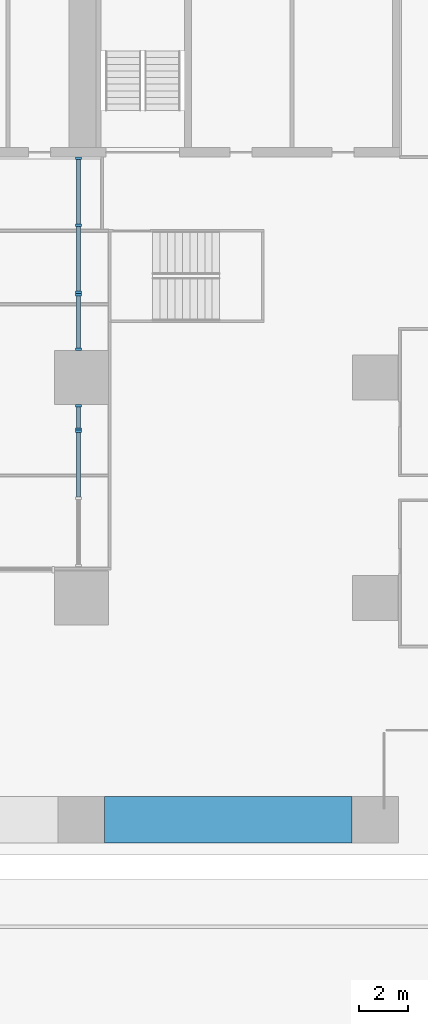
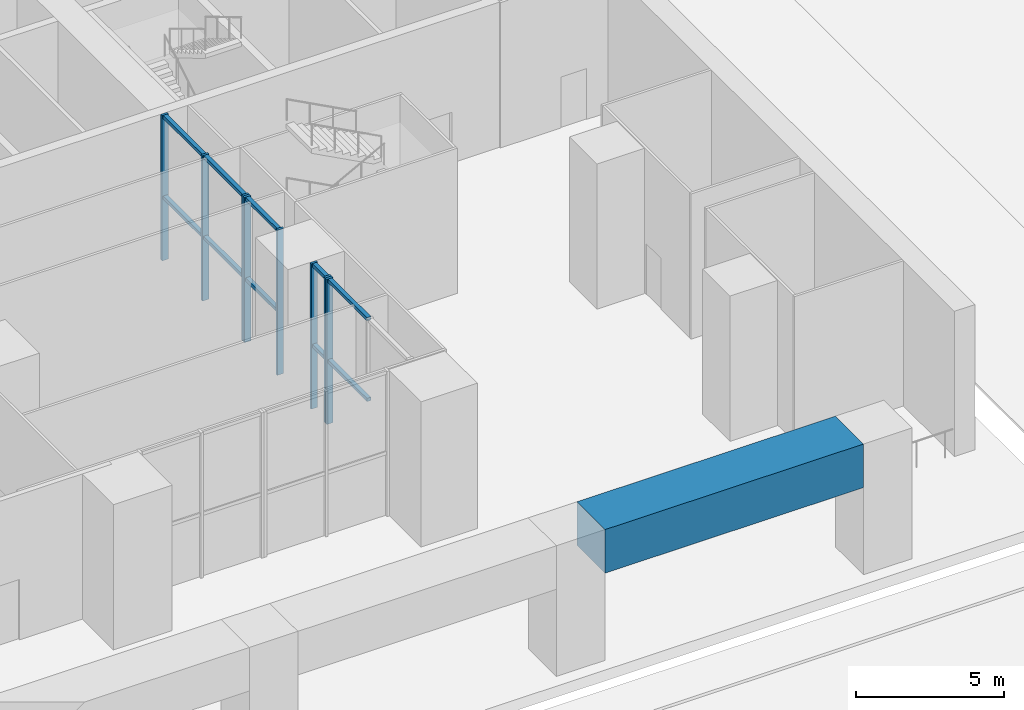
# One storey, part 3 of 16: 18 members, 1 beam, 4 elements without a shape of their own.
"""IFC4 building model written with IfcOpenShell, lengths in metres."""

from ifc_helpers import new_model, si_unit, direction, frame, origin, origin_2d, place, context, subcontext, project, spatial, rectangle, extrude, material, material_profile, profile_set, type_object, element, aggregate, save


model = new_model("IFC4")

# Units and contexts
model_context = context("Model", 3, precision=1e-05, world=origin(), true_north=direction((0.0, 1.0)))
body_context = subcontext(model_context, "Body", "Model", "MODEL_VIEW")
ifc_project = project(units=[si_unit("LENGTHUNIT", "METRE"), si_unit("AREAUNIT", "SQUARE_METRE"), si_unit("VOLUMEUNIT", "CUBIC_METRE"), si_unit("PLANEANGLEUNIT", "RADIAN"), si_unit("MASSUNIT", "GRAM", prefix="KILO")], contexts=[model_context])

# Site, building, storey
site_placement = place(None, origin())
site = spatial("IfcSite", under=ifc_project, at=site_placement, CompositionType="ELEMENT")
building_placement = place(site_placement, origin())
building = spatial("IfcBuilding", under=site, at=building_placement, Name="Calvaro Tower", CompositionType="ELEMENT")
storey_placement = place(building_placement, origin())
storey = spatial("IfcBuildingStorey", under=building, at=storey_placement, Name="L00", CompositionType="ELEMENT", Elevation=0.0)

# Curtain wall, member
ifc_material_1 = material(Name="Anodised aluminium", Category="aluminium")
curtain_wall_type = type_object("IfcCurtainWallType", Name="Lobby pavilion glazing", PredefinedType="NOTDEFINED", material=ifc_material_1)
curtain_wall_1_placement = place(storey_placement, origin())
curtain_wall_1 = element("IfcCurtainWall", 1, at=curtain_wall_1_placement, inside=storey, type_object=curtain_wall_type, Name="CW7 lobby glazing", PredefinedType="NOTDEFINED")
ifc_material_2 = material(Name="Anodised aluminium", Category="aluminium")
ifc_material_profile_1 = material_profile(ifc_material_2, rectangle(XDim=0.25, YDim=0.10009765625, at=origin_2d()), Name="Mullion LP 100 x 250")
ifc_profile_set_1 = profile_set([ifc_material_profile_1], Name="Anodised aluminium")
member_type_1 = type_object("IfcMemberType", Name="Mullion LP 100 x 250", PredefinedType="MULLION", material=ifc_profile_set_1)
member_1_placement = place(storey_placement, frame((59.875, 16.800048828125, 0.0), z_axis=(0.0, 0.0, 1.0), x_axis=(-1.0, 0.0, 0.0)))
member_1 = element("IfcMember", 2, at=member_1_placement, type_object=member_type_1, Name="CW7 mullion 3", PredefinedType="MULLION", context=body_context, shape_type="SweptSolid", body=[
    extrude(rectangle(XDim=0.25, YDim=0.10009765625, at=origin_2d()), origin(), (0.0, 0.0, 1.0), 6.0),
])

# Curtain wall, members
curtain_wall_2_placement = place(storey_placement, origin())
curtain_wall_2 = element("IfcCurtainWall", 3, at=curtain_wall_2_placement, inside=storey, type_object=curtain_wall_type, Name="CW7 lobby glazing", PredefinedType="NOTDEFINED")
member_2_placement = place(storey_placement, frame((59.875, 16.89990234375, 0.0), z_axis=(0.0, 0.0, 1.0), x_axis=(-1.0, 0.0, 0.0)))
member_2 = element("IfcMember", 4, at=member_2_placement, type_object=member_type_1, Name="CW7 mullion 1", PredefinedType="MULLION", context=body_context, shape_type="SweptSolid", body=[
    extrude(rectangle(XDim=0.25, YDim=0.10009765625, at=origin_2d()), origin(), (0.0, 0.0, 1.0), 6.0),
])
member_3_placement = place(storey_placement, frame((59.875, 17.85009765625, 0.0), z_axis=(0.0, 0.0, 1.0), x_axis=(-1.0, 0.0, 0.0)))
member_3 = element("IfcMember", 5, at=member_3_placement, type_object=member_type_1, Name="CW7 mullion 2", PredefinedType="MULLION", context=body_context, shape_type="SweptSolid", body=[
    extrude(rectangle(XDim=0.25, YDim=0.10009765625, at=origin_2d()), origin(), (0.0, 0.0, 1.0), 6.0),
])

curtain_wall_3_placement = place(storey_placement, origin())
curtain_wall_3 = element("IfcCurtainWall", 6, at=curtain_wall_3_placement, inside=storey, type_object=curtain_wall_type, Name="CW7 lobby glazing", PredefinedType="NOTDEFINED")
member_4_placement = place(storey_placement, frame((59.875, 20.14990234375, 0.0), z_axis=(0.0, 0.0, 1.0), x_axis=(-1.0, 0.0, 0.0)))
member_4 = element("IfcMember", 7, at=member_4_placement, type_object=member_type_1, Name="CW7 mullion 1", PredefinedType="MULLION", context=body_context, shape_type="SweptSolid", body=[
    extrude(rectangle(XDim=0.25, YDim=0.10009765625, at=origin_2d()), origin(), (0.0, 0.0, 1.0), 6.0),
])
member_5_placement = place(storey_placement, frame((59.875, 22.375, 0.0), z_axis=(0.0, 0.0, 1.0), x_axis=(-1.0, 0.0, 0.0)))
member_5 = element("IfcMember", 8, at=member_5_placement, type_object=member_type_1, Name="CW7 mullion 2", PredefinedType="MULLION", context=body_context, shape_type="SweptSolid", body=[
    extrude(rectangle(XDim=0.25, YDim=0.10009765625, at=origin_2d()), origin(), (0.0, 0.0, 1.0), 6.0),
])

curtain_wall_4_placement = place(storey_placement, origin())
curtain_wall_4 = element("IfcCurtainWall", 9, at=curtain_wall_4_placement, inside=storey, type_object=curtain_wall_type, Name="CW7 lobby glazing", PredefinedType="NOTDEFINED")
member_6_placement = place(storey_placement, frame((59.875, 22.47509765625, 0.0), z_axis=(0.0, 0.0, 1.0), x_axis=(-1.0, 0.0, 0.0)))
member_6 = element("IfcMember", 10, at=member_6_placement, type_object=member_type_1, Name="CW7 mullion 1", PredefinedType="MULLION", context=body_context, shape_type="SweptSolid", body=[
    extrude(rectangle(XDim=0.25, YDim=0.10009765625, at=origin_2d()), origin(), (0.0, 0.0, 1.0), 6.0),
])
member_7_placement = place(storey_placement, frame((59.875, 25.21240234375, 0.0), z_axis=(0.0, 0.0, 1.0), x_axis=(-1.0, 0.0, 0.0)))
member_7 = element("IfcMember", 11, at=member_7_placement, type_object=member_type_1, Name="CW7 mullion 2", PredefinedType="MULLION", context=body_context, shape_type="SweptSolid", body=[
    extrude(rectangle(XDim=0.25, YDim=0.10009765625, at=origin_2d()), origin(), (0.0, 0.0, 1.0), 6.0),
])
member_8_placement = place(storey_placement, frame((59.875, 27.949951171875, 0.0), z_axis=(0.0, 0.0, 1.0), x_axis=(-1.0, 0.0, 0.0)))
member_8 = element("IfcMember", 12, at=member_8_placement, type_object=member_type_1, Name="CW7 mullion 3", PredefinedType="MULLION", context=body_context, shape_type="SweptSolid", body=[
    extrude(rectangle(XDim=0.25, YDim=0.10009765625, at=origin_2d()), origin(), (0.0, 0.0, 1.0), 6.0),
])

# Beam
ifc_material_3 = material(Name="Concrete C80/95", Category="concrete")
ifc_material_profile_2 = material_profile(ifc_material_3, rectangle(XDim=1.89990234375, YDim=1.800048828125, at=origin_2d()), Name="RC 1900x1800")
ifc_profile_set_2 = profile_set([ifc_material_profile_2], Name="Concrete C80/95")
beam_type = type_object("IfcBeamType", Name="Transfer girder 1900x1800 C80/95", PredefinedType="BEAM", material=ifc_profile_set_2)
beam_placement = place(storey_placement, frame((60.949951171875, 0.949951171875, 4.5), z_axis=(1.0, 0.0, 0.0), x_axis=(0.0, 1.0, 0.0)))
element("IfcBeam", 13, at=beam_placement, inside=storey, type_object=beam_type, Name="Transfer girder", PredefinedType="BEAM", context=body_context, shape_type="SweptSolid", body=[
    extrude(rectangle(XDim=1.89990234375, YDim=1.800048828125, at=origin_2d()), origin(), (0.0, 0.0, 1.0), 10.10009765625),
])

# Member
ifc_material_4 = material(Name="Anodised aluminium", Category="aluminium")
ifc_material_profile_3 = material_profile(ifc_material_4, rectangle(XDim=0.159912109375, YDim=0.139892578125, at=origin_2d()), Name="Transom LP 140 x 160")
ifc_profile_set_3 = profile_set([ifc_material_profile_3], Name="Anodised aluminium")
member_type_2 = type_object("IfcMemberType", Name="Transom LP 140 x 160", PredefinedType="USERDEFINED", material=ifc_profile_set_3)
member_9_placement = place(storey_placement, frame((59.875, 14.112548828125, 2.60009765625), z_axis=(0.0, 1.0, 0.0), x_axis=(-1.0, 0.0, 0.0)))
member_9 = element("IfcMember", 14, at=member_9_placement, type_object=member_type_2, Name="CW7 transom 2.1", ObjectType="TRANSOM", PredefinedType="USERDEFINED", context=body_context, shape_type="SweptSolid", body=[
    extrude(rectangle(XDim=0.159912109375, YDim=0.139892578125, at=origin_2d()), origin(), (0.0, 0.0, 1.0), 2.637451171875),
])

member_10_placement = place(storey_placement, frame((59.875, 14.112548828125, 5.929931640625), z_axis=(0.0, 1.0, 0.0), x_axis=(-1.0, 0.0, 0.0)))
member_10 = element("IfcMember", 15, at=member_10_placement, type_object=member_type_2, Name="CW7 transom 2.2", ObjectType="TRANSOM", PredefinedType="USERDEFINED", context=body_context, shape_type="SweptSolid", body=[
    extrude(rectangle(XDim=0.159912109375, YDim=0.139892578125, at=origin_2d()), origin(), (0.0, 0.0, 1.0), 2.637451171875),
])

aggregate(curtain_wall_1, [member_1, member_9, member_10])

member_11_placement = place(storey_placement, frame((59.875, 16.949951171875, 2.60009765625), z_axis=(0.0, 1.0, 0.0), x_axis=(-1.0, 0.0, 0.0)))
member_11 = element("IfcMember", 16, at=member_11_placement, type_object=member_type_2, Name="CW7 transom 1.1", ObjectType="TRANSOM", PredefinedType="USERDEFINED", context=body_context, shape_type="SweptSolid", body=[
    extrude(rectangle(XDim=0.159912109375, YDim=0.139892578125, at=origin_2d()), origin(), (0.0, 0.0, 1.0), 0.85009765625),
])

member_12_placement = place(storey_placement, frame((59.875, 16.949951171875, 5.929931640625), z_axis=(0.0, 1.0, 0.0), x_axis=(-1.0, 0.0, 0.0)))
member_12 = element("IfcMember", 17, at=member_12_placement, type_object=member_type_2, Name="CW7 transom 1.2", ObjectType="TRANSOM", PredefinedType="USERDEFINED", context=body_context, shape_type="SweptSolid", body=[
    extrude(rectangle(XDim=0.159912109375, YDim=0.139892578125, at=origin_2d()), origin(), (0.0, 0.0, 1.0), 0.85009765625),
])

aggregate(curtain_wall_2, [member_2, member_3, member_11, member_12])

member_13_placement = place(storey_placement, frame((59.875, 20.199951171875, 2.60009765625), z_axis=(0.0, 1.0, 0.0), x_axis=(-1.0, 0.0, 0.0)))
member_13 = element("IfcMember", 18, at=member_13_placement, type_object=member_type_2, Name="CW7 transom 1.1", ObjectType="TRANSOM", PredefinedType="USERDEFINED", context=body_context, shape_type="SweptSolid", body=[
    extrude(rectangle(XDim=0.159912109375, YDim=0.139892578125, at=origin_2d()), origin(), (0.0, 0.0, 1.0), 2.125),
])

member_14_placement = place(storey_placement, frame((59.875, 20.199951171875, 5.929931640625), z_axis=(0.0, 1.0, 0.0), x_axis=(-1.0, 0.0, 0.0)))
member_14 = element("IfcMember", 19, at=member_14_placement, type_object=member_type_2, Name="CW7 transom 1.2", ObjectType="TRANSOM", PredefinedType="USERDEFINED", context=body_context, shape_type="SweptSolid", body=[
    extrude(rectangle(XDim=0.159912109375, YDim=0.139892578125, at=origin_2d()), origin(), (0.0, 0.0, 1.0), 2.125),
])

aggregate(curtain_wall_3, [member_4, member_5, member_13, member_14])

member_15_placement = place(storey_placement, frame((59.875, 22.52490234375, 2.60009765625), z_axis=(0.0, 1.0, 0.0), x_axis=(-1.0, 0.0, 0.0)))
member_15 = element("IfcMember", 20, at=member_15_placement, type_object=member_type_2, Name="CW7 transom 1.1", ObjectType="TRANSOM", PredefinedType="USERDEFINED", context=body_context, shape_type="SweptSolid", body=[
    extrude(rectangle(XDim=0.159912109375, YDim=0.139892578125, at=origin_2d()), origin(), (0.0, 0.0, 1.0), 2.6376953125),
])

member_16_placement = place(storey_placement, frame((59.875, 22.52490234375, 5.929931640625), z_axis=(0.0, 1.0, 0.0), x_axis=(-1.0, 0.0, 0.0)))
member_16 = element("IfcMember", 21, at=member_16_placement, type_object=member_type_2, Name="CW7 transom 1.2", ObjectType="TRANSOM", PredefinedType="USERDEFINED", context=body_context, shape_type="SweptSolid", body=[
    extrude(rectangle(XDim=0.159912109375, YDim=0.139892578125, at=origin_2d()), origin(), (0.0, 0.0, 1.0), 2.6376953125),
])

member_17_placement = place(storey_placement, frame((59.875, 25.262451171875, 2.60009765625), z_axis=(0.0, 1.0, 0.0), x_axis=(-1.0, 0.0, 0.0)))
member_17 = element("IfcMember", 22, at=member_17_placement, type_object=member_type_2, Name="CW7 transom 2.1", ObjectType="TRANSOM", PredefinedType="USERDEFINED", context=body_context, shape_type="SweptSolid", body=[
    extrude(rectangle(XDim=0.159912109375, YDim=0.139892578125, at=origin_2d()), origin(), (0.0, 0.0, 1.0), 2.637451171875),
])

member_18_placement = place(storey_placement, frame((59.875, 25.262451171875, 5.929931640625), z_axis=(0.0, 1.0, 0.0), x_axis=(-1.0, 0.0, 0.0)))
member_18 = element("IfcMember", 23, at=member_18_placement, type_object=member_type_2, Name="CW7 transom 2.2", ObjectType="TRANSOM", PredefinedType="USERDEFINED", context=body_context, shape_type="SweptSolid", body=[
    extrude(rectangle(XDim=0.159912109375, YDim=0.139892578125, at=origin_2d()), origin(), (0.0, 0.0, 1.0), 2.637451171875),
])

aggregate(curtain_wall_4, [member_6, member_7, member_8, member_15, member_16, member_17, member_18])

save(model, "model.ifc")
